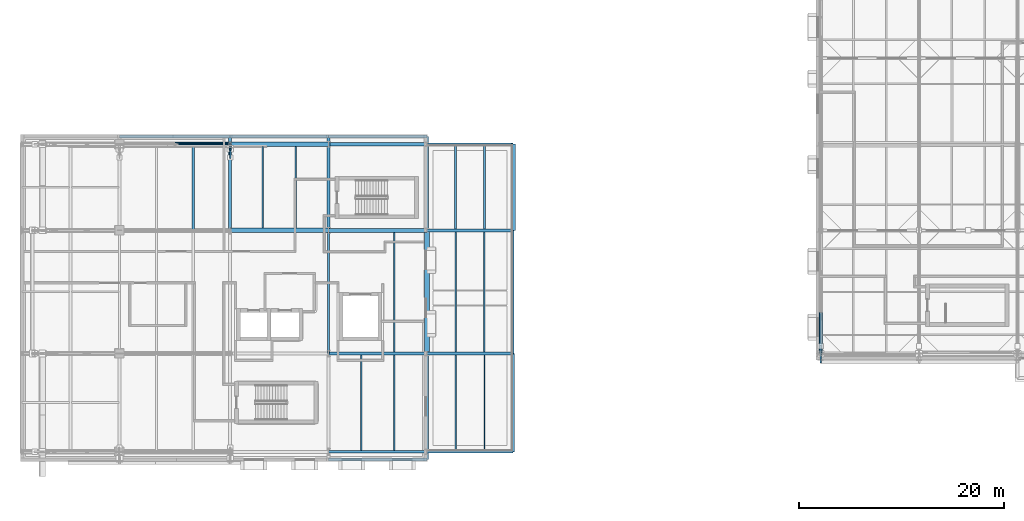
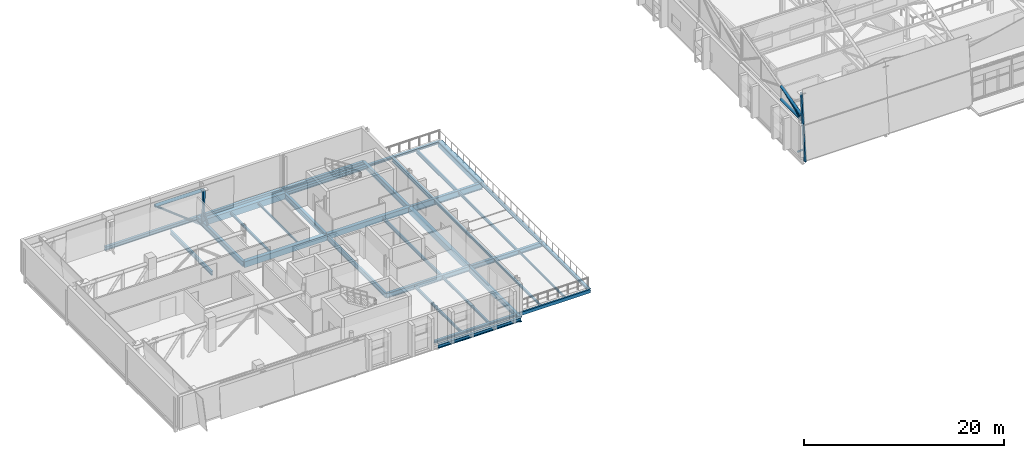
# One storey, part 13 of 89: 35 beams, 9 members.
"""IFC4 building model written with IfcOpenShell, lengths in metres."""

import ifcopenshell
import ifcopenshell.guid

model = None  # the IFC model being written
_history = None  # IfcOwnerHistory: only IFC2X3 demands one
_inside = {}  # id of a spatial element -> (the spatial element, [elements in it])
_under = {}  # id of a project, library or spatial element -> (it, [spatial elements below it])
_declared = {}  # id of a project -> (the project, [libraries it declares])
_typed = {}  # id of a type object -> (the type object, [elements of that type])
_made_of = {}  # id of a material, layer set ... -> (it, [elements and type objects made of it])


def new_model(schema):
    """Start an empty IFC model of exactly this schema.

    Asked for "IFC4X3", IfcOpenShell would pick the latest addendum, in which some entities
    have other attributes; the version numbers below select the first issue.
    IFC2X3 requires an IfcOwnerHistory on every rooted entity: one is made here for all.
    """
    global model, _history
    if schema == "IFC4X3":
        model = ifcopenshell.file(schema_version=(4, 3, 0, 0))
    else:
        model = ifcopenshell.file(schema=schema)
    _inside.clear()
    _under.clear()
    _declared.clear()
    _typed.clear()
    _made_of.clear()
    _history = None
    if model.schema == "IFC2X3":
        org = make("IfcOrganization", Name="unknown")
        user = make(
            "IfcPersonAndOrganization",
            ThePerson=make("IfcPerson", FamilyName="unknown"),
            TheOrganization=org,
        )
        app = make(
            "IfcApplication",
            ApplicationDeveloper=org,
            Version="unknown",
            ApplicationFullName="unknown",
            ApplicationIdentifier="unknown",
        )
        _history = make(
            "IfcOwnerHistory",
            OwningUser=user,
            OwningApplication=app,
            ChangeAction="ADDED",
            CreationDate=0,
        )
    return model


def make(cls, **values):
    """One entity of the class cls with the attributes given. An attribute that is None is left unset."""
    return model.create_entity(
        cls, **{name: value for name, value in values.items() if value is not None}
    )


def rooted(cls, **values):
    """An entity with a GlobalId (a new one), such as an element, a storey or a relation."""
    return make(cls, GlobalId=ifcopenshell.guid.new(), OwnerHistory=_history, **values)


def si_unit(unit_type, name, prefix=None):
    """IfcSIUnit, for example si_unit("LENGTHUNIT", "METRE", prefix="MILLI")."""
    return make("IfcSIUnit", UnitType=unit_type, Prefix=prefix, Name=name)


def assignment(units):
    """IfcUnitAssignment: the units of a project."""
    return None if units is None else make("IfcUnitAssignment", Units=units)


def point(xyz):
    """IfcCartesianPoint."""
    return None if xyz is None else make("IfcCartesianPoint", Coordinates=xyz)


def direction(xyz):
    """IfcDirection."""
    return None if xyz is None else make("IfcDirection", DirectionRatios=xyz)


def frame(location, z_axis=None, x_axis=None):
    """IfcAxis2Placement3D, a coordinate frame: its origin and axes. An axis left out is left unset."""
    return make(
        "IfcAxis2Placement3D",
        Location=point(location),
        Axis=direction(z_axis),
        RefDirection=direction(x_axis),
    )


def frame_2d(location, x_axis=None):
    """IfcAxis2Placement2D, a coordinate frame in the plane: its origin and x axis."""
    return make(
        "IfcAxis2Placement2D", Location=point(location), RefDirection=direction(x_axis)
    )


def origin():
    """The frame at (0, 0, 0) with its axes left unset."""
    return frame((0.0, 0.0, 0.0))


def origin_2d():
    """The frame at (0, 0) in the plane with its x axis left unset."""
    return frame_2d((0.0, 0.0))


def place(relative_to, where):
    """IfcLocalPlacement: puts the frame where relative to a parent placement (None: the world)."""
    return make(
        "IfcLocalPlacement", PlacementRelTo=relative_to, RelativePlacement=where
    )


def context(
    kind, dimensions, precision=None, world=None, true_north=None, identifier=None
):
    """IfcGeometricRepresentationContext, for example the 3D "Model" context."""
    return make(
        "IfcGeometricRepresentationContext",
        ContextIdentifier=identifier,
        ContextType=kind,
        CoordinateSpaceDimension=dimensions,
        Precision=precision,
        WorldCoordinateSystem=world,
        TrueNorth=true_north,
    )


def subcontext(parent, identifier, kind, view, scale=None):
    """IfcGeometricRepresentationSubContext, for example "Body" below "Model"."""
    return make(
        "IfcGeometricRepresentationSubContext",
        ContextIdentifier=identifier,
        ContextType=kind,
        ParentContext=parent,
        TargetScale=scale,
        TargetView=view,
    )


def project(units=None, contexts=None):
    """IfcProject with its units and contexts."""
    return rooted(
        "IfcProject",
        Name="project",
        RepresentationContexts=contexts,
        UnitsInContext=assignment(units),
    )


def spatial(cls, under=None, at=None, **own):
    """A site, building, storey or space (cls), placed at a placement, below another one or the project."""
    s = rooted(cls, ObjectPlacement=at, **own)
    if under is not None:
        _under.setdefault(under.id(), (under, []))[1].append(s)
    return s


def profile(cls, at=None, kind="AREA", **sizes):
    """A parametric profile (cls). Its sizes go by their IFC names, for example OverallWidth=200.0."""
    return make(cls, ProfileType=kind, Position=at, **sizes)


def rectangle(**sizes):
    """IfcRectangleProfileDef."""
    return profile("IfcRectangleProfileDef", **sizes)


def hollow_rectangle(**sizes):
    """IfcRectangleHollowProfileDef."""
    return profile("IfcRectangleHollowProfileDef", **sizes)


def hollow_circle(**sizes):
    """IfcCircleHollowProfileDef."""
    return profile("IfcCircleHollowProfileDef", **sizes)


def i_section(**sizes):
    """IfcIShapeProfileDef."""
    return profile("IfcIShapeProfileDef", **sizes)


def extrude(swept, where, along, depth):
    """IfcExtrudedAreaSolid: the profile swept, set in the frame where, extruded along a direction by depth."""
    return make(
        "IfcExtrudedAreaSolid",
        SweptArea=swept,
        Position=where,
        ExtrudedDirection=direction(along),
        Depth=depth,
    )


def shape(context_of_items, identifier, shape_type, items):
    """IfcShapeRepresentation: the items that make up one representation, for example the "Body"."""
    return make(
        "IfcShapeRepresentation",
        ContextOfItems=context_of_items,
        RepresentationIdentifier=identifier,
        RepresentationType=shape_type,
        Items=items,
    )


def material(Name=None, Category=None):
    """IfcMaterial."""
    return make("IfcMaterial", Name=Name, Category=Category)


def material_profile(
    of_material, cross_section, Name=None, Category=None, Priority=None
):
    """IfcMaterialProfile: a cross section and its material."""
    return make(
        "IfcMaterialProfile",
        Name=Name,
        Material=of_material,
        Profile=cross_section,
        Priority=Priority,
        Category=Category,
    )


def profile_set(profiles, Name=None, composite=None):
    """IfcMaterialProfileSet."""
    return make(
        "IfcMaterialProfileSet",
        Name=Name,
        MaterialProfiles=profiles,
        CompositeProfile=composite,
    )


def made_of(thing, what):
    """Note that an element or type object is made of a material, layer set ...; save() writes the relation."""
    if what is not None:
        _made_of.setdefault(what.id(), (what, []))[1].append(thing)
    return thing


def type_object(cls, material=None, **own):
    """A type object (cls), such as IfcWallType, which elements share."""
    return made_of(rooted(cls, **own), material)


def element(
    cls,
    number,
    at=None,
    inside=None,
    cuts=None,
    type_object=None,
    material=None,
    context=None,
    identifier="Body",
    shape_type=None,
    held_by="IfcProductDefinitionShape",
    body=None,
    shapes=None,
    **own,
):
    """One element of the class cls, such as IfcWall. Its Tag is "e" and its number.

    at: its placement. inside: the storey or other place that contains it. cuts: it is an
    opening in that element (IfcRelVoidsElement). A single representation is given by context,
    identifier, shape_type and body (its items); several are given by shapes. held_by: the class
    of the entity that holds the representations. save() writes the other relations.
    """
    e = rooted(cls, Tag="e%d" % number, ObjectPlacement=at, **own)
    if body is not None:
        shapes = [shape(context, identifier, shape_type, body)]
    if shapes is not None:
        e.Representation = make(held_by, Representations=shapes)
    if inside is not None:
        _inside.setdefault(inside.id(), (inside, []))[1].append(e)
    if cuts is not None:
        rooted(
            "IfcRelVoidsElement", RelatingBuildingElement=cuts, RelatedOpeningElement=e
        )
    if type_object is not None:
        _typed.setdefault(type_object.id(), (type_object, []))[1].append(e)
    return made_of(e, material)


def aggregate(whole, parts):
    """IfcRelAggregates: a whole, such as a stair, and the parts it consists of."""
    return rooted("IfcRelAggregates", RelatingObject=whole, RelatedObjects=parts)


def save(model, path):
    """Write the relations noted so far, then the file.

    IfcRelAggregates (storeys below a building ...), IfcRelContainedInSpatialStructure (elements
    in a storey), IfcRelDefinesByType, IfcRelAssociatesMaterial and IfcRelDeclares: one each for
    every whole, place, type object, material and project.
    """
    for whole, parts in _under.values():
        aggregate(whole, parts)
    for where, things in _inside.values():
        rooted(
            "IfcRelContainedInSpatialStructure",
            RelatedElements=things,
            RelatingStructure=where,
        )
    for kind, things in _typed.values():
        rooted("IfcRelDefinesByType", RelatedObjects=things, RelatingType=kind)
    for what, things in _made_of.values():
        rooted("IfcRelAssociatesMaterial", RelatedObjects=things, RelatingMaterial=what)
    for by, libraries in _declared.values():
        rooted("IfcRelDeclares", RelatingContext=by, RelatedDefinitions=libraries)
    model.write(path)


model = new_model("IFC4")

# Units and contexts
model_context = context("Model", 3, precision=1e-05, world=origin(), true_north=direction((0.0, 1.0)))
body_context = subcontext(model_context, "Body", "Model", "MODEL_VIEW")
ifc_project = project(units=[si_unit("LENGTHUNIT", "METRE"), si_unit("AREAUNIT", "SQUARE_METRE"), si_unit("VOLUMEUNIT", "CUBIC_METRE"), si_unit("PLANEANGLEUNIT", "RADIAN"), si_unit("MASSUNIT", "GRAM", prefix="KILO")], contexts=[model_context])

# Site, building, storey
site_placement = place(None, origin())
site = spatial("IfcSite", under=ifc_project, at=site_placement, CompositionType="ELEMENT")
building_placement = place(site_placement, origin())
building = spatial("IfcBuilding", under=site, at=building_placement, Name="Zereglee Splitstone Museum", CompositionType="ELEMENT")
storey_placement = place(building_placement, frame((0.0, 0.0, 21.300048828125)))
storey = spatial("IfcBuildingStorey", under=building, at=storey_placement, Name="L04", CompositionType="ELEMENT", Elevation=21.300048828125)

# Beams
ifc_material_1 = material(Name="Concrete C40/50", Category="concrete")
ifc_material_profile_1 = material_profile(ifc_material_1, rectangle(XDim=0.39990234375, YDim=0.64990234375, at=origin_2d()), Name="RC 400x650")
ifc_profile_set_1 = profile_set([ifc_material_profile_1], Name="Concrete C40/50")
beam_type_1 = type_object("IfcBeamType", Name="BG-04", PredefinedType="BEAM", material=ifc_profile_set_1)
beam_1_placement = place(storey_placement, frame((30.0, 21.60009765625, -0.5849609375), z_axis=(1.0, 0.0, 0.0), x_axis=(0.0, 1.0, 0.0)))
element("IfcBeam", 1, at=beam_1_placement, inside=storey, type_object=beam_type_1, Name="Primary Girder L04 C (30.0-39.6)", PredefinedType="BEAM", context=body_context, shape_type="SweptSolid", body=[
    extrude(rectangle(XDim=0.39990234375, YDim=0.64990234375, at=origin_2d()), origin(), (0.0, 0.0, 1.0), 9.60009765625),
])
ifc_material_profile_2 = material_profile(ifc_material_1, rectangle(XDim=0.449951171875, YDim=0.699951171875, at=origin_2d()), Name="RC 450x700")
ifc_profile_set_2 = profile_set([ifc_material_profile_2], Name="Concrete C40/50")
beam_type_2 = type_object("IfcBeamType", Name="BG-03", PredefinedType="BEAM", material=ifc_profile_set_2)
beam_2_placement = place(storey_placement, frame((20.39990234375, 21.60009765625, -0.610107421875), z_axis=(1.0, 0.0, 0.0), x_axis=(0.0, 1.0, 0.0)))
element("IfcBeam", 2, at=beam_2_placement, inside=storey, type_object=beam_type_2, Name="Primary Girder L04 C (20.4-30.0)", PredefinedType="BEAM", context=body_context, shape_type="SweptSolid", body=[
    extrude(rectangle(XDim=0.449951171875, YDim=0.699951171875, at=origin_2d()), origin(), (0.0, 0.0, 1.0), 9.60009765625),
])
beam_3_placement = place(storey_placement, frame((39.60009765625, 9.60009765625, -0.610107421875), z_axis=(0.0, 1.0, 0.0), x_axis=(-1.0, 0.0, 0.0)))
element("IfcBeam", 3, at=beam_3_placement, inside=storey, type_object=beam_type_2, Name="Primary Girder L04 6 (9.6-21.6)", PredefinedType="BEAM", context=body_context, shape_type="SweptSolid", body=[
    extrude(rectangle(XDim=0.449951171875, YDim=0.699951171875, at=origin_2d()), origin(), (0.0, 0.0, 1.0), 12.0),
])

# Members
ifc_material_2 = material(Name="Steel S355J2H", Category="steel")
ifc_material_profile_3 = material_profile(ifc_material_2, hollow_circle(Radius=0.109619140625, WallThickness=0.010009765625, at=origin_2d()), Name="CHS 219.1x10")
ifc_profile_set_3 = profile_set([ifc_material_profile_3], Name="Steel S355J2H")
member_type_1 = type_object("IfcMemberType", Name="TB-03", PredefinedType="BRACE", material=ifc_profile_set_3)
member_1_placement = place(storey_placement, frame((78.0, 9.60009765625, 4.199951171875), z_axis=(0.0, 0.927136001435, 0.374725012299), x_axis=(-1.0, 0.0, 0.0)))
element("IfcMember", 4, at=member_1_placement, inside=storey, type_object=member_type_1, Name="Roof Truss ST-01 Diagonal 1.1", PredefinedType="BRACE", context=body_context, shape_type="SweptSolid", body=[
    extrude(hollow_circle(Radius=0.109619140625, WallThickness=0.010009765625, at=origin_2d()), origin(), (0.0, 0.0, 1.0), 4.314453125),
])
ifc_material_profile_4 = material_profile(ifc_material_2, hollow_circle(Radius=0.122314453125, WallThickness=0.012451171875, at=origin_2d()), Name="CHS 244.5x12.5")
ifc_profile_set_4 = profile_set([ifc_material_profile_4], Name="Steel S355J2H")
member_type_2 = type_object("IfcMemberType", Name="TB-02", PredefinedType="BRACE", material=ifc_profile_set_4)
member_2_placement = place(storey_placement, frame((20.39990234375, 30.0, -0.900146484375), z_axis=(-0.78933300072, 0.0, 0.613965319847), x_axis=(0.0, -1.0, 0.0)))
element("IfcMember", 5, at=member_2_placement, inside=storey, type_object=member_type_2, Name="Cantilever Truss CT-04 Web Brace L04-5", PredefinedType="BRACE", context=body_context, shape_type="SweptSolid", body=[
    extrude(hollow_circle(Radius=0.122314453125, WallThickness=0.012451171875, at=origin_2d()), origin(), (0.0, 0.0, 1.0), 6.841064453125),
])
ifc_material_profile_5 = material_profile(ifc_material_2, hollow_circle(Radius=0.161865234375, WallThickness=0.01611328125, at=origin_2d()), Name="CHS 323.9x16")
ifc_profile_set_5 = profile_set([ifc_material_profile_5], Name="Steel S355J2H")
member_type_3 = type_object("IfcMemberType", Name="TC-05", PredefinedType="CHORD", material=ifc_profile_set_5)
member_3_placement = place(storey_placement, frame((78.0, 9.60009765625, 4.199951171875), z_axis=(0.0, 1.0, 0.0), x_axis=(-1.0, 0.0, 0.0)))
element("IfcMember", 6, at=member_3_placement, inside=storey, type_object=member_type_3, Name="Roof Truss ST-01 Bottom Chord 1.1", PredefinedType="CHORD", context=body_context, shape_type="SweptSolid", body=[
    extrude(hollow_circle(Radius=0.161865234375, WallThickness=0.01611328125, at=origin_2d()), origin(), (0.0, 0.0, 1.0), 4.0),
])
member_4_placement = place(storey_placement, frame((78.0, 9.60009765625, 4.75), z_axis=(0.0, 0.966235918422, 0.257658979955), x_axis=(-1.0, 0.0, 0.0)))
element("IfcMember", 7, at=member_4_placement, inside=storey, type_object=member_type_3, Name="Roof Truss ST-01 Top Chord 1.1", PredefinedType="CHORD", context=body_context, shape_type="SweptSolid", body=[
    extrude(hollow_circle(Radius=0.161865234375, WallThickness=0.01611328125, at=origin_2d()), origin(), (0.0, 0.0, 1.0), 4.139892578125),
])
ifc_material_profile_6 = material_profile(ifc_material_2, hollow_circle(Radius=0.203125, WallThickness=0.02001953125, at=origin_2d()), Name="CHS 406.4x20")
ifc_profile_set_6 = profile_set([ifc_material_profile_6], Name="Steel S355J2H")
member_type_4 = type_object("IfcMemberType", Name="TC-03", PredefinedType="CHORD", material=ifc_profile_set_6)
member_5_placement = place(storey_placement, frame((15.0, 30.0, 3.300048828125), z_axis=(1.0, 0.0, 0.0), x_axis=(0.0, 1.0, 0.0)))
element("IfcMember", 8, at=member_5_placement, inside=storey, type_object=member_type_4, Name="Cantilever Truss CT-04 Top Chord L04-5", PredefinedType="CHORD", context=body_context, shape_type="SweptSolid", body=[
    extrude(hollow_circle(Radius=0.203125, WallThickness=0.02001953125, at=origin_2d()), origin(), (0.0, 0.0, 1.0), 5.39990234375),
])

# Beams
ifc_material_3 = material(Name="Steel S355J2", Category="steel")
ifc_material_profile_7 = material_profile(ifc_material_3, i_section(OverallWidth=0.300048828125, OverallDepth=0.550048828125, WebThickness=0.014892578125, FlangeThickness=0.029052734375, FilletRadius=0.027099609375, at=origin_2d()), Name="HE 550 B")
ifc_profile_set_7 = profile_set([ifc_material_profile_7], Name="Steel S355J2")
beam_type_3 = type_object("IfcBeamType", Name="BG-11", PredefinedType="BEAM", material=ifc_profile_set_7)
beam_4_placement = place(storey_placement, frame((39.60009765625, 9.60009765625, -0.53515625), z_axis=(1.0, 0.0, 0.0), x_axis=(0.0, 1.0, 0.0)))
element("IfcBeam", 9, at=beam_4_placement, inside=storey, type_object=beam_type_3, Name="Primary Girder L04 B (39.6-48.0)", PredefinedType="BEAM", context=body_context, shape_type="SweptSolid", body=[
    extrude(i_section(OverallWidth=0.300048828125, OverallDepth=0.550048828125, WebThickness=0.014892578125, FlangeThickness=0.029052734375, FilletRadius=0.027099609375, at=origin_2d()), origin(), (0.0, 0.0, 1.0), 8.39990234375),
])
ifc_material_profile_8 = material_profile(ifc_material_3, i_section(OverallWidth=0.300048828125, OverallDepth=0.60009765625, WebThickness=0.015380859375, FlangeThickness=0.030029296875, FilletRadius=0.027099609375, at=origin_2d()), Name="HE 600 B")
ifc_profile_set_8 = profile_set([ifc_material_profile_8], Name="Steel S355J2")
beam_type_4 = type_object("IfcBeamType", Name="BG-10", PredefinedType="BEAM", material=ifc_profile_set_8)
beam_5_placement = place(storey_placement, frame((30.0, 9.60009765625, -0.56005859375), z_axis=(1.0, 0.0, 0.0), x_axis=(0.0, 1.0, 0.0)))
element("IfcBeam", 10, at=beam_5_placement, inside=storey, type_object=beam_type_4, Name="Primary Girder L04 B (30.0-39.6)", PredefinedType="BEAM", context=body_context, shape_type="SweptSolid", body=[
    extrude(i_section(OverallWidth=0.300048828125, OverallDepth=0.60009765625, WebThickness=0.015380859375, FlangeThickness=0.030029296875, FilletRadius=0.027099609375, at=origin_2d()), origin(), (0.0, 0.0, 1.0), 9.60009765625),
])
ifc_material_profile_9 = material_profile(ifc_material_3, i_section(OverallWidth=0.300048828125, OverallDepth=0.64990234375, WebThickness=0.01611328125, FlangeThickness=0.031005859375, FilletRadius=0.027099609375, at=origin_2d()), Name="HE 650 B")
ifc_profile_set_9 = profile_set([ifc_material_profile_9], Name="Steel S355J2")
beam_type_5 = type_object("IfcBeamType", Name="BG-09", PredefinedType="BEAM", material=ifc_profile_set_9)
for number, where, z_axis, x_axis, name in (
    (11, (20.39990234375, 21.60009765625, -0.5849609375), (0.0, 1.0, 0.0), (-1.0, 0.0, 0.0), "Primary Girder L04 4 (21.6-30.8)"),
    (12, (30.0, 21.60009765625, -0.5849609375), (0.0, 1.0, 0.0), (-1.0, 0.0, 0.0), "Primary Girder L04 5 (21.6-30.8)"),
):
    element("IfcBeam", number, at=place(storey_placement, frame(where, z_axis=z_axis, x_axis=x_axis)), inside=storey, type_object=beam_type_5, Name=name, PredefinedType="BEAM", context=body_context, shape_type="SweptSolid", body=[
        extrude(i_section(OverallWidth=0.300048828125, OverallDepth=0.64990234375, WebThickness=0.01611328125, FlangeThickness=0.031005859375, FilletRadius=0.027099609375, at=origin_2d()), origin(), (0.0, 0.0, 1.0), 9.14990234375),
    ])
beam_6_placement = place(storey_placement, frame((39.60009765625, -0.75, -0.5849609375), z_axis=(0.0, 1.0, 0.0), x_axis=(-1.0, 0.0, 0.0)))
element("IfcBeam", 13, at=beam_6_placement, inside=storey, type_object=beam_type_5, Name="Primary Girder L04 6 (-0.8-9.6)", PredefinedType="BEAM", context=body_context, shape_type="SweptSolid", body=[
    extrude(i_section(OverallWidth=0.300048828125, OverallDepth=0.64990234375, WebThickness=0.01611328125, FlangeThickness=0.031005859375, FilletRadius=0.027099609375, at=origin_2d()), origin(), (0.0, 0.0, 1.0), 10.35009765625),
])
beam_7_placement = place(storey_placement, frame((39.60009765625, 21.60009765625, -0.5849609375), z_axis=(0.0, 1.0, 0.0), x_axis=(-1.0, 0.0, 0.0)))
element("IfcBeam", 14, at=beam_7_placement, inside=storey, type_object=beam_type_5, Name="Primary Girder L04 6 (21.6-30.8)", PredefinedType="BEAM", context=body_context, shape_type="SweptSolid", body=[
    extrude(i_section(OverallWidth=0.300048828125, OverallDepth=0.64990234375, WebThickness=0.01611328125, FlangeThickness=0.031005859375, FilletRadius=0.027099609375, at=origin_2d()), origin(), (0.0, 0.0, 1.0), 9.14990234375),
])
ifc_material_profile_10 = material_profile(ifc_material_3, i_section(OverallWidth=0.300048828125, OverallDepth=0.800048828125, WebThickness=0.017578125, FlangeThickness=0.032958984375, FilletRadius=0.030029296875, at=origin_2d()), Name="HE 800 B")
ifc_profile_set_10 = profile_set([ifc_material_profile_10], Name="Steel S355J2")
beam_type_6 = type_object("IfcBeamType", Name="BG-07", PredefinedType="BEAM", material=ifc_profile_set_10)
beam_8_placement = place(storey_placement, frame((39.60009765625, 21.60009765625, -0.66015625), z_axis=(1.0, 0.0, 0.0), x_axis=(0.0, 1.0, 0.0)))
element("IfcBeam", 15, at=beam_8_placement, inside=storey, type_object=beam_type_6, Name="Primary Girder L04 C (39.6-48.0)", PredefinedType="BEAM", context=body_context, shape_type="SweptSolid", body=[
    extrude(i_section(OverallWidth=0.300048828125, OverallDepth=0.800048828125, WebThickness=0.017578125, FlangeThickness=0.032958984375, FilletRadius=0.030029296875, at=origin_2d()), origin(), (0.0, 0.0, 1.0), 8.39990234375),
])
ifc_material_profile_11 = material_profile(ifc_material_3, i_section(OverallWidth=0.219970703125, OverallDepth=0.60009765625, WebThickness=0.011962890625, FlangeThickness=0.01904296875, FilletRadius=0.02392578125, at=origin_2d()), Name="IPE 600")
ifc_profile_set_11 = profile_set([ifc_material_profile_11], Name="Steel S355J2")
beam_type_7 = type_object("IfcBeamType", Name="BG-15", PredefinedType="BEAM", material=ifc_profile_set_11)
beam_9_placement = place(storey_placement, frame((30.0, 9.60009765625, -0.56005859375), z_axis=(0.0, 1.0, 0.0), x_axis=(-1.0, 0.0, 0.0)))
element("IfcBeam", 16, at=beam_9_placement, inside=storey, type_object=beam_type_7, Name="Primary Girder L04 5 (9.6-21.6)", PredefinedType="BEAM", context=body_context, shape_type="SweptSolid", body=[
    extrude(i_section(OverallWidth=0.219970703125, OverallDepth=0.60009765625, WebThickness=0.011962890625, FlangeThickness=0.01904296875, FilletRadius=0.02392578125, at=origin_2d()), origin(), (0.0, 0.0, 1.0), 12.0),
])
ifc_material_profile_12 = material_profile(ifc_material_3, i_section(OverallWidth=0.1201171875, OverallDepth=0.239990234375, WebThickness=0.006103515625, FlangeThickness=0.009765625, FilletRadius=0.014892578125, at=origin_2d()), Name="IPE 240")
ifc_profile_set_12 = profile_set([ifc_material_profile_12], Name="Steel S355J2")
beam_type_8 = type_object("IfcBeamType", Name="BJ-07", PredefinedType="JOIST", material=ifc_profile_set_12)
beam_10_placement = place(storey_placement, frame((45.199951171875, 0.10009765625, -0.380126953125), z_axis=(0.0, 1.0, 0.0), x_axis=(-1.0, 0.0, 0.0)))
element("IfcBeam", 17, at=beam_10_placement, inside=storey, type_object=beam_type_8, Name="Secondary Floor Joist L04-1504", PredefinedType="JOIST", context=body_context, shape_type="SweptSolid", body=[
    extrude(i_section(OverallWidth=0.1201171875, OverallDepth=0.239990234375, WebThickness=0.006103515625, FlangeThickness=0.009765625, FilletRadius=0.014892578125, at=origin_2d()), origin(), (0.0, 0.0, 1.0), 9.349853515625),
])
beam_11_placement = place(storey_placement, frame((26.800048828125, 21.824951171875, -0.380126953125), z_axis=(0.0, 1.0, 0.0), x_axis=(-1.0, 0.0, 0.0)))
element("IfcBeam", 18, at=beam_11_placement, inside=storey, type_object=beam_type_8, Name="Secondary Floor Joist L04-1525", PredefinedType="JOIST", context=body_context, shape_type="SweptSolid", body=[
    extrude(i_section(OverallWidth=0.1201171875, OverallDepth=0.239990234375, WebThickness=0.006103515625, FlangeThickness=0.009765625, FilletRadius=0.014892578125, at=origin_2d()), origin(), (0.0, 0.0, 1.0), 7.949951171875),
])
ifc_material_profile_13 = material_profile(ifc_material_3, i_section(OverallWidth=0.14990234375, OverallDepth=0.300048828125, WebThickness=0.007080078125, FlangeThickness=0.0107421875, FilletRadius=0.014892578125, at=origin_2d()), Name="IPE 300")
ifc_profile_set_13 = profile_set([ifc_material_profile_13], Name="Steel S355J2")
beam_type_9 = type_object("IfcBeamType", Name="BJ-06", PredefinedType="JOIST", material=ifc_profile_set_13)
beam_12_placement = place(storey_placement, frame((42.39990234375, 0.10009765625, -0.41015625), z_axis=(0.0, 1.0, 0.0), x_axis=(-1.0, 0.0, 0.0)))
element("IfcBeam", 19, at=beam_12_placement, inside=storey, type_object=beam_type_9, Name="Secondary Floor Joist L04-1503", PredefinedType="JOIST", context=body_context, shape_type="SweptSolid", body=[
    extrude(i_section(OverallWidth=0.14990234375, OverallDepth=0.300048828125, WebThickness=0.007080078125, FlangeThickness=0.0107421875, FilletRadius=0.014892578125, at=origin_2d()), origin(), (0.0, 0.0, 1.0), 9.349853515625),
])
beam_13_placement = place(storey_placement, frame((23.60009765625, 21.824951171875, -0.41015625), z_axis=(0.0, 1.0, 0.0), x_axis=(-1.0, 0.0, 0.0)))
element("IfcBeam", 20, at=beam_13_placement, inside=storey, type_object=beam_type_9, Name="Secondary Floor Joist L04-1524", PredefinedType="JOIST", context=body_context, shape_type="SweptSolid", body=[
    extrude(i_section(OverallWidth=0.14990234375, OverallDepth=0.300048828125, WebThickness=0.007080078125, FlangeThickness=0.0107421875, FilletRadius=0.014892578125, at=origin_2d()), origin(), (0.0, 0.0, 1.0), 7.949951171875),
])
ifc_material_profile_14 = material_profile(ifc_material_3, i_section(OverallWidth=0.159912109375, OverallDepth=0.330078125, WebThickness=0.007568359375, FlangeThickness=0.011474609375, FilletRadius=0.01806640625, at=origin_2d()), Name="IPE 330")
ifc_profile_set_14 = profile_set([ifc_material_profile_14], Name="Steel S355J2")
beam_type_10 = type_object("IfcBeamType", Name="BJ-05", PredefinedType="JOIST", material=ifc_profile_set_14)
beam_14_placement = place(storey_placement, frame((36.39990234375, 0.139892578125, -0.425048828125), z_axis=(0.0, 1.0, 0.0), x_axis=(-1.0, 0.0, 0.0)))
element("IfcBeam", 21, at=beam_14_placement, inside=storey, type_object=beam_type_10, Name="Secondary Floor Joist L04-1502", PredefinedType="JOIST", context=body_context, shape_type="SweptSolid", body=[
    extrude(i_section(OverallWidth=0.159912109375, OverallDepth=0.330078125, WebThickness=0.007568359375, FlangeThickness=0.011474609375, FilletRadius=0.01806640625, at=origin_2d()), origin(), (0.0, 0.0, 1.0), 9.31005859375),
])
beam_15_placement = place(storey_placement, frame((45.199951171875, 9.75, -0.425048828125), z_axis=(0.0, 1.0, 0.0), x_axis=(-1.0, 0.0, 0.0)))
element("IfcBeam", 22, at=beam_15_placement, inside=storey, type_object=beam_type_10, Name="Secondary Floor Joist L04-1509", PredefinedType="JOIST", context=body_context, shape_type="SweptSolid", body=[
    extrude(i_section(OverallWidth=0.159912109375, OverallDepth=0.330078125, WebThickness=0.007568359375, FlangeThickness=0.011474609375, FilletRadius=0.01806640625, at=origin_2d()), origin(), (0.0, 0.0, 1.0), 11.699951171875),
])
ifc_material_profile_15 = material_profile(ifc_material_3, i_section(OverallWidth=0.169921875, OverallDepth=0.360107421875, WebThickness=0.008056640625, FlangeThickness=0.0126953125, FilletRadius=0.01806640625, at=origin_2d()), Name="IPE 360")
ifc_profile_set_15 = profile_set([ifc_material_profile_15], Name="Steel S355J2")
beam_type_11 = type_object("IfcBeamType", Name="BJ-04", PredefinedType="JOIST", material=ifc_profile_set_15)
beam_16_placement = place(storey_placement, frame((33.199951171875, 0.139892578125, -0.43994140625), z_axis=(0.0, 1.0, 0.0), x_axis=(-1.0, 0.0, 0.0)))
element("IfcBeam", 23, at=beam_16_placement, inside=storey, type_object=beam_type_11, Name="Secondary Floor Joist L04-1501", PredefinedType="JOIST", context=body_context, shape_type="SweptSolid", body=[
    extrude(i_section(OverallWidth=0.169921875, OverallDepth=0.360107421875, WebThickness=0.008056640625, FlangeThickness=0.0126953125, FilletRadius=0.01806640625, at=origin_2d()), origin(), (0.0, 0.0, 1.0), 9.31005859375),
])
beam_17_placement = place(storey_placement, frame((42.39990234375, 9.75, -0.43994140625), z_axis=(0.0, 1.0, 0.0), x_axis=(-1.0, 0.0, 0.0)))
element("IfcBeam", 24, at=beam_17_placement, inside=storey, type_object=beam_type_11, Name="Secondary Floor Joist L04-1508", PredefinedType="JOIST", context=body_context, shape_type="SweptSolid", body=[
    extrude(i_section(OverallWidth=0.169921875, OverallDepth=0.360107421875, WebThickness=0.008056640625, FlangeThickness=0.0126953125, FilletRadius=0.01806640625, at=origin_2d()), origin(), (0.0, 0.0, 1.0), 11.699951171875),
])
ifc_material_profile_16 = material_profile(ifc_material_3, i_section(OverallWidth=0.179931640625, OverallDepth=0.39990234375, WebThickness=0.008544921875, FlangeThickness=0.013427734375, FilletRadius=0.02099609375, at=origin_2d()), Name="IPE 400")
ifc_profile_set_16 = profile_set([ifc_material_profile_16], Name="Steel S355J2")
beam_type_12 = type_object("IfcBeamType", Name="BJ-03", PredefinedType="JOIST", material=ifc_profile_set_16)
beam_18_placement = place(storey_placement, frame((36.39990234375, 9.75, -0.4599609375), z_axis=(0.0, 1.0, 0.0), x_axis=(-1.0, 0.0, 0.0)))
element("IfcBeam", 25, at=beam_18_placement, inside=storey, type_object=beam_type_12, Name="Secondary Floor Joist L04-1507", PredefinedType="JOIST", context=body_context, shape_type="SweptSolid", body=[
    extrude(i_section(OverallWidth=0.179931640625, OverallDepth=0.39990234375, WebThickness=0.008544921875, FlangeThickness=0.013427734375, FilletRadius=0.02099609375, at=origin_2d()), origin(), (0.0, 0.0, 1.0), 11.64990234375),
])
ifc_material_profile_17 = material_profile(ifc_material_3, i_section(OverallWidth=0.18994140625, OverallDepth=0.449951171875, WebThickness=0.009521484375, FlangeThickness=0.0146484375, FilletRadius=0.02099609375, at=origin_2d()), Name="IPE 450")
ifc_profile_set_17 = profile_set([ifc_material_profile_17], Name="Steel S355J2")
beam_type_13 = type_object("IfcBeamType", Name="BJ-02", PredefinedType="JOIST", material=ifc_profile_set_17)
beam_19_placement = place(storey_placement, frame((45.199951171875, 21.75, -0.485107421875), z_axis=(0.0, 1.0, 0.0), x_axis=(-1.0, 0.0, 0.0)))
element("IfcBeam", 26, at=beam_19_placement, inside=storey, type_object=beam_type_13, Name="Secondary Floor Joist L04-1527", PredefinedType="JOIST", context=body_context, shape_type="SweptSolid", body=[
    extrude(i_section(OverallWidth=0.18994140625, OverallDepth=0.449951171875, WebThickness=0.009521484375, FlangeThickness=0.0146484375, FilletRadius=0.02099609375, at=origin_2d()), origin(), (0.0, 0.0, 1.0), 8.110107421875),
])
ifc_material_profile_18 = material_profile(ifc_material_3, i_section(OverallWidth=0.199951171875, OverallDepth=0.5, WebThickness=0.01025390625, FlangeThickness=0.01611328125, FilletRadius=0.02099609375, at=origin_2d()), Name="IPE 500")
ifc_profile_set_18 = profile_set([ifc_material_profile_18], Name="Steel S355J2")
beam_type_14 = type_object("IfcBeamType", Name="BJ-01", PredefinedType="JOIST", material=ifc_profile_set_18)
beam_20_placement = place(storey_placement, frame((16.800048828125, 21.60009765625, -0.510009765625), z_axis=(0.0, 1.0, 0.0), x_axis=(-1.0, 0.0, 0.0)))
element("IfcBeam", 27, at=beam_20_placement, inside=storey, type_object=beam_type_14, Name="Secondary Floor Joist L04-1523", PredefinedType="JOIST", context=body_context, shape_type="SweptSolid", body=[
    extrude(i_section(OverallWidth=0.199951171875, OverallDepth=0.5, WebThickness=0.01025390625, FlangeThickness=0.01611328125, FilletRadius=0.02099609375, at=origin_2d()), origin(), (0.0, 0.0, 1.0), 8.39990234375),
])
beam_21_placement = place(storey_placement, frame((42.39990234375, 21.75, -0.510009765625), z_axis=(0.0, 1.0, 0.0), x_axis=(-1.0, 0.0, 0.0)))
element("IfcBeam", 28, at=beam_21_placement, inside=storey, type_object=beam_type_14, Name="Secondary Floor Joist L04-1526", PredefinedType="JOIST", context=body_context, shape_type="SweptSolid", body=[
    extrude(i_section(OverallWidth=0.199951171875, OverallDepth=0.5, WebThickness=0.01025390625, FlangeThickness=0.01611328125, FilletRadius=0.02099609375, at=origin_2d()), origin(), (0.0, 0.0, 1.0), 8.110107421875),
])
ifc_material_profile_19 = material_profile(ifc_material_3, i_section(OverallWidth=0.280029296875, OverallDepth=0.280029296875, WebThickness=0.010498046875, FlangeThickness=0.01806640625, FilletRadius=0.02392578125, at=origin_2d()), Name="HE 280 B")
ifc_profile_set_19 = profile_set([ifc_material_profile_19], Name="Steel S355J2")
beam_type_15 = type_object("IfcBeamType", Name="SP-03", PredefinedType="SPANDREL", material=ifc_profile_set_19)
beam_22_placement = place(storey_placement, frame((30.0, 0.0, -0.400146484375), z_axis=(1.0, 0.0, 0.0), x_axis=(0.0, 1.0, 0.0)))
element("IfcBeam", 29, at=beam_22_placement, inside=storey, type_object=beam_type_15, Name="Primary Girder L04 A (30.0-39.6)", PredefinedType="SPANDREL", context=body_context, shape_type="SweptSolid", body=[
    extrude(i_section(OverallWidth=0.280029296875, OverallDepth=0.280029296875, WebThickness=0.010498046875, FlangeThickness=0.01806640625, FilletRadius=0.02392578125, at=origin_2d()), origin(), (0.0, 0.0, 1.0), 9.60009765625),
])
beam_23_placement = place(storey_placement, frame((39.60009765625, 30.0, -0.400146484375), z_axis=(1.0, 0.0, 0.0), x_axis=(0.0, 1.0, 0.0)))
element("IfcBeam", 30, at=beam_23_placement, inside=storey, type_object=beam_type_15, Name="Primary Girder L04 D (39.6-48.0)", PredefinedType="SPANDREL", context=body_context, shape_type="SweptSolid", body=[
    extrude(i_section(OverallWidth=0.280029296875, OverallDepth=0.280029296875, WebThickness=0.010498046875, FlangeThickness=0.01806640625, FilletRadius=0.02392578125, at=origin_2d()), origin(), (0.0, 0.0, 1.0), 8.39990234375),
])
beam_24_placement = place(storey_placement, frame((48.0, 0.0, -0.400146484375), z_axis=(0.0, 1.0, 0.0), x_axis=(-1.0, 0.0, 0.0)))
element("IfcBeam", 31, at=beam_24_placement, inside=storey, type_object=beam_type_15, Name="Primary Girder L04 7 (0.0-9.6)", PredefinedType="SPANDREL", context=body_context, shape_type="SweptSolid", body=[
    extrude(i_section(OverallWidth=0.280029296875, OverallDepth=0.280029296875, WebThickness=0.010498046875, FlangeThickness=0.01806640625, FilletRadius=0.02392578125, at=origin_2d()), origin(), (0.0, 0.0, 1.0), 9.60009765625),
])
ifc_material_profile_20 = material_profile(ifc_material_3, i_section(OverallWidth=0.300048828125, OverallDepth=0.449951171875, WebThickness=0.013916015625, FlangeThickness=0.02587890625, FilletRadius=0.027099609375, at=origin_2d()), Name="HE 450 B")
ifc_profile_set_20 = profile_set([ifc_material_profile_20], Name="Steel S355J2")
beam_type_16 = type_object("IfcBeamType", Name="SP-02", PredefinedType="SPANDREL", material=ifc_profile_set_20)
for number, where, z_axis, x_axis, name in (
    (32, (30.0, 30.0, -0.485107421875), (1.0, 0.0, 0.0), (0.0, 1.0, 0.0), "Primary Girder L04 D (30.0-39.6)"),
    (33, (30.0, -0.75, -0.485107421875), (1.0, 0.0, 0.0), (0.0, 1.0, 0.0), "Hovering Soffit Spandrel L04 (30.0-39.6)"),
):
    element("IfcBeam", number, at=place(storey_placement, frame(where, z_axis=z_axis, x_axis=x_axis)), inside=storey, type_object=beam_type_16, Name=name, PredefinedType="SPANDREL", context=body_context, shape_type="SweptSolid", body=[
        extrude(i_section(OverallWidth=0.300048828125, OverallDepth=0.449951171875, WebThickness=0.013916015625, FlangeThickness=0.02587890625, FilletRadius=0.027099609375, at=origin_2d()), origin(), (0.0, 0.0, 1.0), 9.60009765625),
    ])
beam_25_placement = place(storey_placement, frame((9.60009765625, 30.75, -0.485107421875), z_axis=(1.0, 0.0, 0.0), x_axis=(0.0, 1.0, 0.0)))
element("IfcBeam", 34, at=beam_25_placement, inside=storey, type_object=beam_type_16, Name="Hovering Soffit Spandrel L04 (9.6-20.4)", PredefinedType="SPANDREL", context=body_context, shape_type="SweptSolid", body=[
    extrude(i_section(OverallWidth=0.300048828125, OverallDepth=0.449951171875, WebThickness=0.013916015625, FlangeThickness=0.02587890625, FilletRadius=0.027099609375, at=origin_2d()), origin(), (0.0, 0.0, 1.0), 10.7998046875),
])
for number, where, z_axis, x_axis, name in (
    (35, (20.39990234375, 30.75, -0.485107421875), (1.0, 0.0, 0.0), (0.0, 1.0, 0.0), "Hovering Soffit Spandrel L04 (20.4-30.0)"),
    (36, (30.0, 30.75, -0.485107421875), (1.0, 0.0, 0.0), (0.0, 1.0, 0.0), "Hovering Soffit Spandrel L04 (30.0-39.6)"),
):
    element("IfcBeam", number, at=place(storey_placement, frame(where, z_axis=z_axis, x_axis=x_axis)), inside=storey, type_object=beam_type_16, Name=name, PredefinedType="SPANDREL", context=body_context, shape_type="SweptSolid", body=[
        extrude(i_section(OverallWidth=0.300048828125, OverallDepth=0.449951171875, WebThickness=0.013916015625, FlangeThickness=0.02587890625, FilletRadius=0.027099609375, at=origin_2d()), origin(), (0.0, 0.0, 1.0), 9.60009765625),
    ])
ifc_material_profile_21 = material_profile(ifc_material_1, rectangle(XDim=0.449951171875, YDim=0.75, at=origin_2d()), Name="RC 450x750")
ifc_profile_set_21 = profile_set([ifc_material_profile_21], Name="Concrete C40/50")
beam_type_17 = type_object("IfcBeamType", Name="SP-01", PredefinedType="SPANDREL", material=ifc_profile_set_21)
beam_26_placement = place(storey_placement, frame((20.39990234375, 30.0, -0.635009765625), z_axis=(1.0, 0.0, 0.0), x_axis=(0.0, 1.0, 0.0)))
element("IfcBeam", 37, at=beam_26_placement, inside=storey, type_object=beam_type_17, Name="Primary Girder L04 D (20.4-30.0)", PredefinedType="SPANDREL", context=body_context, shape_type="SweptSolid", body=[
    extrude(rectangle(XDim=0.449951171875, YDim=0.75, at=origin_2d()), origin(), (0.0, 0.0, 1.0), 9.60009765625),
])
beam_27_placement = place(storey_placement, frame((48.0, 21.60009765625, -0.635009765625), z_axis=(0.0, 1.0, 0.0), x_axis=(-1.0, 0.0, 0.0)))
element("IfcBeam", 38, at=beam_27_placement, inside=storey, type_object=beam_type_17, Name="Primary Girder L04 7 (21.6-30.0)", PredefinedType="SPANDREL", context=body_context, shape_type="SweptSolid", body=[
    extrude(rectangle(XDim=0.449951171875, YDim=0.75, at=origin_2d()), origin(), (0.0, 0.0, 1.0), 8.39990234375),
])
ifc_material_profile_22 = material_profile(ifc_material_2, hollow_rectangle(XDim=0.199951171875, YDim=0.39990234375, WallThickness=0.01611328125, at=origin_2d()), Name="RHS 400x200x16")
ifc_profile_set_22 = profile_set([ifc_material_profile_22], Name="Steel S355J2H")
beam_type_18 = type_object("IfcBeamType", Name="SP-04", PredefinedType="SPANDREL", material=ifc_profile_set_22)
beam_28_placement = place(storey_placement, frame((39.60009765625, 0.0, -0.4599609375), z_axis=(1.0, 0.0, 0.0), x_axis=(0.0, 1.0, 0.0)))
element("IfcBeam", 39, at=beam_28_placement, inside=storey, type_object=beam_type_18, Name="Primary Girder L04 A (39.6-48.0)", PredefinedType="SPANDREL", context=body_context, shape_type="SweptSolid", body=[
    extrude(hollow_rectangle(XDim=0.199951171875, YDim=0.39990234375, WallThickness=0.01611328125, at=origin_2d()), origin(), (0.0, 0.0, 1.0), 8.39990234375),
])
beam_29_placement = place(storey_placement, frame((48.0, 9.60009765625, -0.4599609375), z_axis=(0.0, 1.0, 0.0), x_axis=(-1.0, 0.0, 0.0)))
element("IfcBeam", 40, at=beam_29_placement, inside=storey, type_object=beam_type_18, Name="Primary Girder L04 7 (9.6-21.6)", PredefinedType="SPANDREL", context=body_context, shape_type="SweptSolid", body=[
    extrude(hollow_rectangle(XDim=0.199951171875, YDim=0.39990234375, WallThickness=0.01611328125, at=origin_2d()), origin(), (0.0, 0.0, 1.0), 12.0),
])

# Members
ifc_material_profile_23 = material_profile(ifc_material_2, hollow_rectangle(XDim=0.199951171875, YDim=0.300048828125, WallThickness=0.012451171875, at=origin_2d()), Name="RHS 300x200x12.5")
ifc_profile_set_23 = profile_set([ifc_material_profile_23], Name="Steel S355J2H")
member_type_5 = type_object("IfcMemberType", Name="FS-R1", PredefinedType="STRUT", material=ifc_profile_set_23)
member_6_placement = place(storey_placement, frame((20.39990234375, 29.707763671875, -0.510009765625), z_axis=(0.0, -0.037146694316, 0.999309823379), x_axis=(1.0, 0.0, 0.0)))
element("IfcMember", 41, at=member_6_placement, inside=storey, type_object=member_type_5, Name="Split-Rock Continuous Facet Strut FH-V1N-W L04-02", PredefinedType="STRUT", context=body_context, shape_type="SweptSolid", body=[
    extrude(hollow_rectangle(XDim=0.199951171875, YDim=0.300048828125, WallThickness=0.012451171875, at=origin_2d()), origin(), (0.0, 0.0, 1.0), 4.212890625),
])
ifc_material_profile_24 = material_profile(ifc_material_2, hollow_rectangle(XDim=0.14990234375, YDim=0.35009765625, WallThickness=0.012451171875, at=origin_2d()), Name="RHS 350x150x12.5")
ifc_profile_set_24 = profile_set([ifc_material_profile_24], Name="Steel S355J2H")
member_type_6 = type_object("IfcMemberType", Name="FS-R0", PredefinedType="STRUT", material=ifc_profile_set_24)
member_7_placement = place(storey_placement, frame((78.0, 8.8232421875, -0.510009765625), z_axis=(0.0, 0.090892411904, 0.995860717901), x_axis=(-1.0, 0.0, 0.0)))
element("IfcMember", 42, at=member_7_placement, inside=storey, type_object=member_type_6, Name="Split-Rock Continuous Facet Strut FH-V2SW L04-01", PredefinedType="STRUT", context=body_context, shape_type="SweptSolid", body=[
    extrude(hollow_rectangle(XDim=0.14990234375, YDim=0.35009765625, WallThickness=0.012451171875, at=origin_2d()), origin(), (0.0, 0.0, 1.0), 8.023193359375),
])
ifc_material_profile_25 = material_profile(ifc_material_2, hollow_rectangle(XDim=0.1201171875, YDim=0.199951171875, WallThickness=0.008056640625, at=origin_2d()), Name="RHS 200x120x8")
ifc_profile_set_25 = profile_set([ifc_material_profile_25], Name="Steel S355J2H")
member_type_7 = type_object("IfcMemberType", Name="FS-T1", PredefinedType="STRUT", material=ifc_profile_set_25)
member_8_placement = place(storey_placement, frame((20.39990234375, 28.699951171875, -0.219970703125), z_axis=(0.0, 0.635165751141, 0.772375859655), x_axis=(-1.0, 0.0, 0.0)))
element("IfcMember", 43, at=member_8_placement, inside=storey, type_object=member_type_7, Name="Facet Tie-Back Strut FH-V1N-W L04-02", PredefinedType="STRUT", context=body_context, shape_type="SweptSolid", body=[
    extrude(hollow_rectangle(XDim=0.1201171875, YDim=0.199951171875, WallThickness=0.008056640625, at=origin_2d()), origin(), (0.0, 0.0, 1.0), 1.501708984375),
])
member_9_placement = place(storey_placement, frame((78.0, 10.300048828125, -0.219970703125), z_axis=(0.0, -0.757166062891, 0.65322243777), x_axis=(1.0, 0.0, 0.0)))
element("IfcMember", 44, at=member_9_placement, inside=storey, type_object=member_type_7, Name="Facet Tie-Back Strut FH-V2SW L04-01", PredefinedType="STRUT", context=body_context, shape_type="SweptSolid", body=[
    extrude(hollow_rectangle(XDim=0.1201171875, YDim=0.199951171875, WallThickness=0.008056640625, at=origin_2d()), origin(), (0.0, 0.0, 1.0), 1.775634765625),
])

save(model, "model.ifc")
